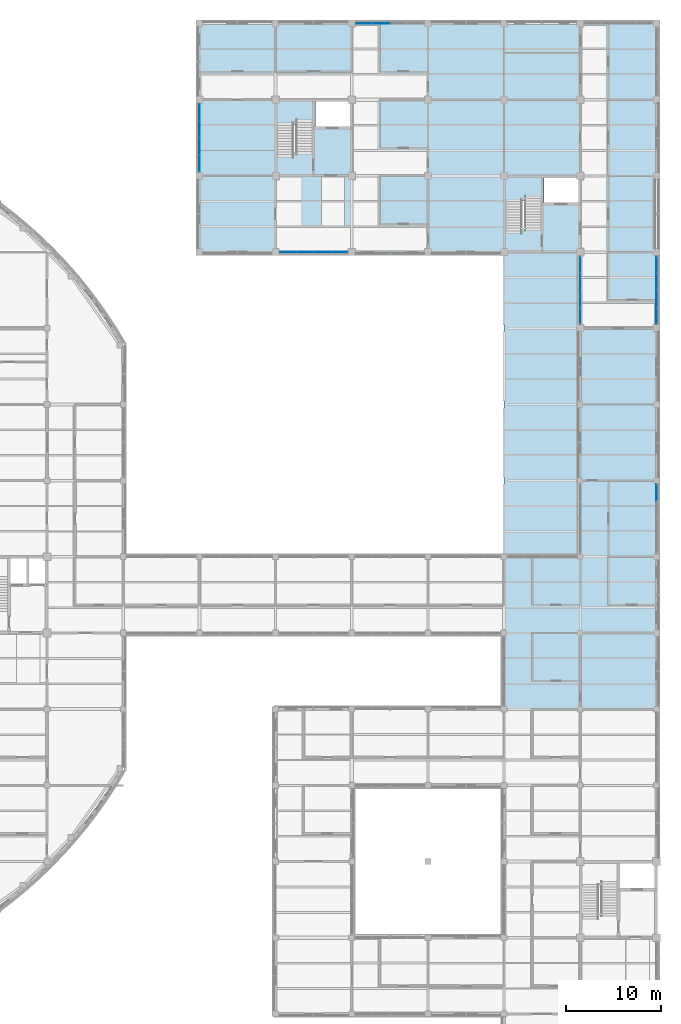
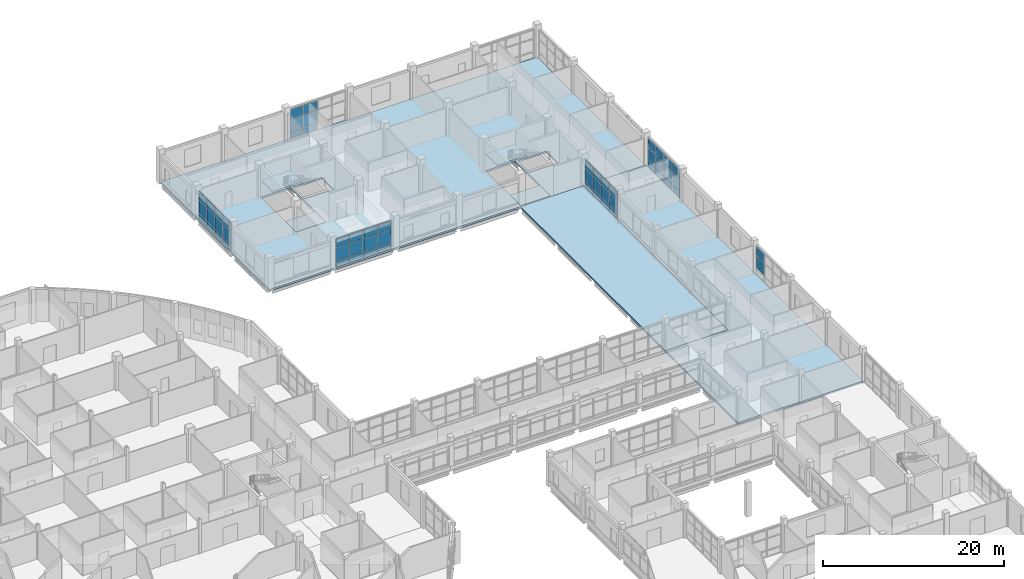
# One storey, part 72 of 121: 56 plates, 7 slabs, 8 elements without a shape of their own.
"""IFC4 building model written with IfcOpenShell, lengths in metres."""

from ifc_helpers import new_model, si_unit, derived_unit, direction, frame, origin, origin_2d, place, context, subcontext, project, spatial, polyline, rectangle, outline, extrude, material, layer, layer_set, type_object, element, aggregate, save


model = new_model("IFC4")

# Units and contexts
model_context = context("Model", 3, precision=1e-05, world=origin(), true_north=direction((0.0, 1.0)))
body_context = subcontext(model_context, "Body", "Model", "MODEL_VIEW")
ifc_project = project(units=[si_unit("LENGTHUNIT", "METRE"), si_unit("AREAUNIT", "SQUARE_METRE"), si_unit("VOLUMEUNIT", "CUBIC_METRE"), si_unit("PLANEANGLEUNIT", "RADIAN"), si_unit("MASSUNIT", "GRAM", prefix="KILO"), derived_unit("THERMALTRANSMITTANCEUNIT", [(si_unit("MASSUNIT", "GRAM", prefix="KILO"), 1), (si_unit("TIMEUNIT", "SECOND"), -3), (si_unit("THERMODYNAMICTEMPERATUREUNIT", "KELVIN"), -1)])], contexts=[model_context])

# Site, building, storey
site_placement = place(None, origin())
site = spatial("IfcSite", under=ifc_project, at=site_placement, CompositionType="ELEMENT")
building_placement = place(site_placement, origin())
building = spatial("IfcBuilding", under=site, at=building_placement, Name="Veyamyaing Civic Hall", CompositionType="ELEMENT")
storey_placement = place(building_placement, frame((0.0, 0.0, 5.280029296875)))
storey = spatial("IfcBuildingStorey", under=building, at=storey_placement, Name="L01", CompositionType="ELEMENT", Elevation=5.280029296875)

# Curtain wall, plates
ifc_material_1 = material(Name="Anodised aluminium 6063-T6", Category="aluminium")
ifc_layer_1 = layer(ifc_material_1, 0.159912109375, Name="Anodised aluminium 6063-T6")
ifc_layer_set_1 = layer_set([ifc_layer_1], Name="Anodised aluminium 6063-T6")
curtain_wall_type = type_object("IfcCurtainWallType", Name="CW-02", PredefinedType="NOTDEFINED", material=ifc_layer_set_1)
curtain_wall_1_placement = place(storey_placement, origin())
curtain_wall_1 = element("IfcCurtainWall", 1, at=curtain_wall_1_placement, inside=storey, type_object=curtain_wall_type, Name="Unitized curtain wall CW-02 L01 W 17.13", PredefinedType="NOTDEFINED")
ifc_material_2 = material(Name="Low-E insulated glass", Category="glass")
ifc_layer_2 = layer(ifc_material_2, 0.028076171875, Name="Low-E insulated glass")
ifc_layer_set_2 = layer_set([ifc_layer_2], Name="Low-E insulated glass")
plate_type_1 = type_object("IfcPlateType", Name="CWP-01", PredefinedType="CURTAIN_PANEL", material=ifc_layer_set_2)
plate_1_placement = place(storey_placement, frame((128.0, 97.320068359375, 0.06494140625), z_axis=(0.0, 0.0, 1.0), x_axis=(0.0, 1.0, 0.0)))
plate_1 = element("IfcPlate", 2, at=plate_1_placement, type_object=plate_type_1, Name="CW-02 panel 1.1", PredefinedType="CURTAIN_PANEL", context=body_context, shape_type="SweptSolid", body=[
    extrude(rectangle(XDim=1.699951171875, YDim=0.028076171875, at=origin_2d()), origin(), (0.0, 0.0, 1.0), 0.802490234375),
])
plate_2_placement = place(storey_placement, frame((128.0, 97.320068359375, 0.932373046875), z_axis=(0.0, 0.0, 1.0), x_axis=(0.0, 1.0, 0.0)))
plate_2 = element("IfcPlate", 3, at=plate_2_placement, type_object=plate_type_1, Name="CW-02 panel 1.2", PredefinedType="CURTAIN_PANEL", context=body_context, shape_type="SweptSolid", body=[
    extrude(rectangle(XDim=1.699951171875, YDim=0.028076171875, at=origin_2d()), origin(), (0.0, 0.0, 1.0), 1.7373046875),
])
plate_3_placement = place(storey_placement, frame((128.0, 97.320068359375, 2.734619140625), z_axis=(0.0, 0.0, 1.0), x_axis=(0.0, 1.0, 0.0)))
plate_3 = element("IfcPlate", 4, at=plate_3_placement, type_object=plate_type_1, Name="CW-02 panel 1.3", PredefinedType="CURTAIN_PANEL", context=body_context, shape_type="SweptSolid", body=[
    extrude(rectangle(XDim=1.699951171875, YDim=0.028076171875, at=origin_2d()), origin(), (0.0, 0.0, 1.0), 1.17431640625),
])
plate_4_placement = place(storey_placement, frame((128.0, 99.101318359375, 0.06494140625), z_axis=(0.0, 0.0, 1.0), x_axis=(0.0, 1.0, 0.0)))
plate_4 = element("IfcPlate", 5, at=plate_4_placement, type_object=plate_type_1, Name="CW-02 panel 2.1", PredefinedType="CURTAIN_PANEL", context=body_context, shape_type="SweptSolid", body=[
    extrude(rectangle(XDim=1.732421875, YDim=0.028076171875, at=origin_2d()), origin(), (0.0, 0.0, 1.0), 0.802490234375),
])
plate_5_placement = place(storey_placement, frame((128.0, 99.101318359375, 0.932373046875), z_axis=(0.0, 0.0, 1.0), x_axis=(0.0, 1.0, 0.0)))
plate_5 = element("IfcPlate", 6, at=plate_5_placement, type_object=plate_type_1, Name="CW-02 panel 2.2", PredefinedType="CURTAIN_PANEL", context=body_context, shape_type="SweptSolid", body=[
    extrude(rectangle(XDim=1.732421875, YDim=0.028076171875, at=origin_2d()), origin(), (0.0, 0.0, 1.0), 1.7373046875),
])
plate_6_placement = place(storey_placement, frame((128.0, 99.101318359375, 2.734619140625), z_axis=(0.0, 0.0, 1.0), x_axis=(0.0, 1.0, 0.0)))
plate_6 = element("IfcPlate", 7, at=plate_6_placement, type_object=plate_type_1, Name="CW-02 panel 2.3", PredefinedType="CURTAIN_PANEL", context=body_context, shape_type="SweptSolid", body=[
    extrude(rectangle(XDim=1.732421875, YDim=0.028076171875, at=origin_2d()), origin(), (0.0, 0.0, 1.0), 1.17431640625),
])
plate_7_placement = place(storey_placement, frame((128.0, 100.898681640625, 0.06494140625), z_axis=(0.0, 0.0, 1.0), x_axis=(0.0, 1.0, 0.0)))
plate_7 = element("IfcPlate", 8, at=plate_7_placement, type_object=plate_type_1, Name="CW-02 panel 3.1", PredefinedType="CURTAIN_PANEL", context=body_context, shape_type="SweptSolid", body=[
    extrude(rectangle(XDim=1.732421875, YDim=0.028076171875, at=origin_2d()), origin(), (0.0, 0.0, 1.0), 0.802490234375),
])
plate_8_placement = place(storey_placement, frame((128.0, 100.898681640625, 0.932373046875), z_axis=(0.0, 0.0, 1.0), x_axis=(0.0, 1.0, 0.0)))
plate_8 = element("IfcPlate", 9, at=plate_8_placement, type_object=plate_type_1, Name="CW-02 panel 3.2", PredefinedType="CURTAIN_PANEL", context=body_context, shape_type="SweptSolid", body=[
    extrude(rectangle(XDim=1.732421875, YDim=0.028076171875, at=origin_2d()), origin(), (0.0, 0.0, 1.0), 1.7373046875),
])
plate_9_placement = place(storey_placement, frame((128.0, 100.898681640625, 2.734619140625), z_axis=(0.0, 0.0, 1.0), x_axis=(0.0, 1.0, 0.0)))
plate_9 = element("IfcPlate", 10, at=plate_9_placement, type_object=plate_type_1, Name="CW-02 panel 3.3", PredefinedType="CURTAIN_PANEL", context=body_context, shape_type="SweptSolid", body=[
    extrude(rectangle(XDim=1.732421875, YDim=0.028076171875, at=origin_2d()), origin(), (0.0, 0.0, 1.0), 1.17431640625),
])
plate_10_placement = place(storey_placement, frame((128.0, 102.679931640625, 0.06494140625), z_axis=(0.0, 0.0, 1.0), x_axis=(0.0, 1.0, 0.0)))
plate_10 = element("IfcPlate", 11, at=plate_10_placement, type_object=plate_type_1, Name="CW-02 panel 4.1", PredefinedType="CURTAIN_PANEL", context=body_context, shape_type="SweptSolid", body=[
    extrude(rectangle(XDim=1.699951171875, YDim=0.028076171875, at=origin_2d()), origin(), (0.0, 0.0, 1.0), 0.802490234375),
])
plate_11_placement = place(storey_placement, frame((128.0, 102.679931640625, 0.932373046875), z_axis=(0.0, 0.0, 1.0), x_axis=(0.0, 1.0, 0.0)))
plate_11 = element("IfcPlate", 12, at=plate_11_placement, type_object=plate_type_1, Name="CW-02 panel 4.2", PredefinedType="CURTAIN_PANEL", context=body_context, shape_type="SweptSolid", body=[
    extrude(rectangle(XDim=1.699951171875, YDim=0.028076171875, at=origin_2d()), origin(), (0.0, 0.0, 1.0), 1.7373046875),
])
plate_12_placement = place(storey_placement, frame((128.0, 102.679931640625, 2.734619140625), z_axis=(0.0, 0.0, 1.0), x_axis=(0.0, 1.0, 0.0)))
plate_12 = element("IfcPlate", 13, at=plate_12_placement, type_object=plate_type_1, Name="CW-02 panel 4.3", PredefinedType="CURTAIN_PANEL", context=body_context, shape_type="SweptSolid", body=[
    extrude(rectangle(XDim=1.699951171875, YDim=0.028076171875, at=origin_2d()), origin(), (0.0, 0.0, 1.0), 1.17431640625),
])
aggregate(curtain_wall_1, [plate_1, plate_2, plate_3, plate_4, plate_5, plate_6, plate_7, plate_8, plate_9, plate_10, plate_11, plate_12])

curtain_wall_2_placement = place(storey_placement, origin())
curtain_wall_2 = element("IfcCurtainWall", 14, at=curtain_wall_2_placement, inside=storey, type_object=curtain_wall_type, Name="Unitized curtain wall CW-02 L01 S 18.12", PredefinedType="NOTDEFINED")
plate_13_placement = place(storey_placement, frame((137.320068359375, 88.0, 0.06494140625), z_axis=(0.0, 0.0, 1.0), x_axis=(1.0, 0.0, 0.0)))
plate_13 = element("IfcPlate", 15, at=plate_13_placement, type_object=plate_type_1, Name="CW-02 panel 1.1", PredefinedType="CURTAIN_PANEL", context=body_context, shape_type="SweptSolid", body=[
    extrude(rectangle(XDim=1.699951171875, YDim=0.028076171875, at=origin_2d()), origin(), (0.0, 0.0, 1.0), 0.802490234375),
])
plate_14_placement = place(storey_placement, frame((137.320068359375, 88.0, 0.932373046875), z_axis=(0.0, 0.0, 1.0), x_axis=(1.0, 0.0, 0.0)))
plate_14 = element("IfcPlate", 16, at=plate_14_placement, type_object=plate_type_1, Name="CW-02 panel 1.2", PredefinedType="CURTAIN_PANEL", context=body_context, shape_type="SweptSolid", body=[
    extrude(rectangle(XDim=1.699951171875, YDim=0.028076171875, at=origin_2d()), origin(), (0.0, 0.0, 1.0), 1.7373046875),
])
plate_15_placement = place(storey_placement, frame((137.320068359375, 88.0, 2.734619140625), z_axis=(0.0, 0.0, 1.0), x_axis=(1.0, 0.0, 0.0)))
plate_15 = element("IfcPlate", 17, at=plate_15_placement, type_object=plate_type_1, Name="CW-02 panel 1.3", PredefinedType="CURTAIN_PANEL", context=body_context, shape_type="SweptSolid", body=[
    extrude(rectangle(XDim=1.699951171875, YDim=0.028076171875, at=origin_2d()), origin(), (0.0, 0.0, 1.0), 1.17431640625),
])
plate_16_placement = place(storey_placement, frame((139.101318359375, 88.0, 0.06494140625), z_axis=(0.0, 0.0, 1.0), x_axis=(1.0, 0.0, 0.0)))
plate_16 = element("IfcPlate", 18, at=plate_16_placement, type_object=plate_type_1, Name="CW-02 panel 2.1", PredefinedType="CURTAIN_PANEL", context=body_context, shape_type="SweptSolid", body=[
    extrude(rectangle(XDim=1.732421875, YDim=0.028076171875, at=origin_2d()), origin(), (0.0, 0.0, 1.0), 0.802490234375),
])
plate_17_placement = place(storey_placement, frame((139.101318359375, 88.0, 0.932373046875), z_axis=(0.0, 0.0, 1.0), x_axis=(1.0, 0.0, 0.0)))
plate_17 = element("IfcPlate", 19, at=plate_17_placement, type_object=plate_type_1, Name="CW-02 panel 2.2", PredefinedType="CURTAIN_PANEL", context=body_context, shape_type="SweptSolid", body=[
    extrude(rectangle(XDim=1.732421875, YDim=0.028076171875, at=origin_2d()), origin(), (0.0, 0.0, 1.0), 1.7373046875),
])
plate_18_placement = place(storey_placement, frame((139.101318359375, 88.0, 2.734619140625), z_axis=(0.0, 0.0, 1.0), x_axis=(1.0, 0.0, 0.0)))
plate_18 = element("IfcPlate", 20, at=plate_18_placement, type_object=plate_type_1, Name="CW-02 panel 2.3", PredefinedType="CURTAIN_PANEL", context=body_context, shape_type="SweptSolid", body=[
    extrude(rectangle(XDim=1.732421875, YDim=0.028076171875, at=origin_2d()), origin(), (0.0, 0.0, 1.0), 1.17431640625),
])
plate_19_placement = place(storey_placement, frame((140.898681640625, 88.0, 0.06494140625), z_axis=(0.0, 0.0, 1.0), x_axis=(1.0, 0.0, 0.0)))
plate_19 = element("IfcPlate", 21, at=plate_19_placement, type_object=plate_type_1, Name="CW-02 panel 3.1", PredefinedType="CURTAIN_PANEL", context=body_context, shape_type="SweptSolid", body=[
    extrude(rectangle(XDim=1.732421875, YDim=0.028076171875, at=origin_2d()), origin(), (0.0, 0.0, 1.0), 0.802490234375),
])
plate_20_placement = place(storey_placement, frame((140.898681640625, 88.0, 0.932373046875), z_axis=(0.0, 0.0, 1.0), x_axis=(1.0, 0.0, 0.0)))
plate_20 = element("IfcPlate", 22, at=plate_20_placement, type_object=plate_type_1, Name="CW-02 panel 3.2", PredefinedType="CURTAIN_PANEL", context=body_context, shape_type="SweptSolid", body=[
    extrude(rectangle(XDim=1.732421875, YDim=0.028076171875, at=origin_2d()), origin(), (0.0, 0.0, 1.0), 1.7373046875),
])
plate_21_placement = place(storey_placement, frame((140.898681640625, 88.0, 2.734619140625), z_axis=(0.0, 0.0, 1.0), x_axis=(1.0, 0.0, 0.0)))
plate_21 = element("IfcPlate", 23, at=plate_21_placement, type_object=plate_type_1, Name="CW-02 panel 3.3", PredefinedType="CURTAIN_PANEL", context=body_context, shape_type="SweptSolid", body=[
    extrude(rectangle(XDim=1.732421875, YDim=0.028076171875, at=origin_2d()), origin(), (0.0, 0.0, 1.0), 1.17431640625),
])
plate_22_placement = place(storey_placement, frame((142.679931640625, 88.0, 0.06494140625), z_axis=(0.0, 0.0, 1.0), x_axis=(1.0, 0.0, 0.0)))
plate_22 = element("IfcPlate", 24, at=plate_22_placement, type_object=plate_type_1, Name="CW-02 panel 4.1", PredefinedType="CURTAIN_PANEL", context=body_context, shape_type="SweptSolid", body=[
    extrude(rectangle(XDim=1.699951171875, YDim=0.028076171875, at=origin_2d()), origin(), (0.0, 0.0, 1.0), 0.802490234375),
])
plate_23_placement = place(storey_placement, frame((142.679931640625, 88.0, 0.932373046875), z_axis=(0.0, 0.0, 1.0), x_axis=(1.0, 0.0, 0.0)))
plate_23 = element("IfcPlate", 25, at=plate_23_placement, type_object=plate_type_1, Name="CW-02 panel 4.2", PredefinedType="CURTAIN_PANEL", context=body_context, shape_type="SweptSolid", body=[
    extrude(rectangle(XDim=1.699951171875, YDim=0.028076171875, at=origin_2d()), origin(), (0.0, 0.0, 1.0), 1.7373046875),
])
plate_24_placement = place(storey_placement, frame((142.679931640625, 88.0, 2.734619140625), z_axis=(0.0, 0.0, 1.0), x_axis=(1.0, 0.0, 0.0)))
plate_24 = element("IfcPlate", 26, at=plate_24_placement, type_object=plate_type_1, Name="CW-02 panel 4.3", PredefinedType="CURTAIN_PANEL", context=body_context, shape_type="SweptSolid", body=[
    extrude(rectangle(XDim=1.699951171875, YDim=0.028076171875, at=origin_2d()), origin(), (0.0, 0.0, 1.0), 1.17431640625),
])
aggregate(curtain_wall_2, [plate_13, plate_14, plate_15, plate_16, plate_17, plate_18, plate_19, plate_20, plate_21, plate_22, plate_23, plate_24])

curtain_wall_3_placement = place(storey_placement, origin())
curtain_wall_3 = element("IfcCurtainWall", 27, at=curtain_wall_3_placement, inside=storey, type_object=curtain_wall_type, Name="Unitized curtain wall CW-02 L01 E 22.8", PredefinedType="NOTDEFINED")
plate_25_placement = place(storey_placement, frame((176.0, 62.736328125, 0.9326171875), z_axis=(0.0, 0.0, 1.0), x_axis=(0.0, 1.0, 0.0)))
plate_25 = element("IfcPlate", 28, at=plate_25_placement, type_object=plate_type_1, Name="CW-02 panel 4.2", PredefinedType="CURTAIN_PANEL", context=body_context, shape_type="SweptSolid", body=[
    extrude(rectangle(XDim=1.737548828125, YDim=0.028076171875, at=origin_2d()), origin(), (0.0, 0.0, 1.0), 1.696533203125),
])
plate_26_placement = place(storey_placement, frame((176.0, 62.736328125, 2.69384765625), z_axis=(0.0, 0.0, 1.0), x_axis=(0.0, 1.0, 0.0)))
plate_26 = element("IfcPlate", 29, at=plate_26_placement, type_object=plate_type_1, Name="CW-02 panel 4.3", PredefinedType="CURTAIN_PANEL", context=body_context, shape_type="SweptSolid", body=[
    extrude(rectangle(XDim=1.737548828125, YDim=0.028076171875, at=origin_2d()), origin(), (0.0, 0.0, 1.0), 1.155029296875),
])
aggregate(curtain_wall_3, [plate_25, plate_26])

curtain_wall_4_placement = place(storey_placement, origin())
curtain_wall_4 = element("IfcCurtainWall", 30, at=curtain_wall_4_placement, inside=storey, type_object=curtain_wall_type, Name="Unitized curtain wall CW-02 L01 N 19.14", PredefinedType="NOTDEFINED")
ifc_layer_3 = layer(ifc_material_2, 0.02392578125, Name="Low-E insulated glass")
ifc_layer_set_3 = layer_set([ifc_layer_3], Name="Low-E insulated glass")
plate_type_2 = type_object("IfcPlateType", Name="CWP-04", PredefinedType="CURTAIN_PANEL", material=ifc_layer_set_3)
plate_27_placement = place(storey_placement, frame((145.320068359375, 112.0, 0.06494140625), z_axis=(0.0, 0.0, 1.0), x_axis=(1.0, 0.0, 0.0)))
plate_27 = element("IfcPlate", 31, at=plate_27_placement, type_object=plate_type_2, Name="CW-02 panel 1.1", PredefinedType="CURTAIN_PANEL", context=body_context, shape_type="SweptSolid", body=[
    extrude(rectangle(XDim=1.699951171875, YDim=0.02392578125, at=origin_2d()), origin(), (0.0, 0.0, 1.0), 0.802490234375),
])
plate_28_placement = place(storey_placement, frame((145.320068359375, 112.0, 0.9326171875), z_axis=(0.0, 0.0, 1.0), x_axis=(1.0, 0.0, 0.0)))
plate_28 = element("IfcPlate", 32, at=plate_28_placement, type_object=plate_type_2, Name="CW-02 panel 1.2", PredefinedType="CURTAIN_PANEL", context=body_context, shape_type="SweptSolid", body=[
    extrude(rectangle(XDim=1.699951171875, YDim=0.02392578125, at=origin_2d()), origin(), (0.0, 0.0, 1.0), 1.767822265625),
])
plate_29_placement = place(storey_placement, frame((145.320068359375, 112.0, 2.76513671875), z_axis=(0.0, 0.0, 1.0), x_axis=(1.0, 0.0, 0.0)))
plate_29 = element("IfcPlate", 33, at=plate_29_placement, type_object=plate_type_2, Name="CW-02 panel 1.3", PredefinedType="CURTAIN_PANEL", context=body_context, shape_type="SweptSolid", body=[
    extrude(rectangle(XDim=1.699951171875, YDim=0.02392578125, at=origin_2d()), origin(), (0.0, 0.0, 1.0), 1.188720703125),
])
plate_30_placement = place(storey_placement, frame((147.101318359375, 112.0, 0.06494140625), z_axis=(0.0, 0.0, 1.0), x_axis=(1.0, 0.0, 0.0)))
plate_30 = element("IfcPlate", 34, at=plate_30_placement, type_object=plate_type_2, Name="CW-02 panel 2.1", PredefinedType="CURTAIN_PANEL", context=body_context, shape_type="SweptSolid", body=[
    extrude(rectangle(XDim=1.732421875, YDim=0.02392578125, at=origin_2d()), origin(), (0.0, 0.0, 1.0), 0.802490234375),
])
plate_31_placement = place(storey_placement, frame((147.101318359375, 112.0, 0.9326171875), z_axis=(0.0, 0.0, 1.0), x_axis=(1.0, 0.0, 0.0)))
plate_31 = element("IfcPlate", 35, at=plate_31_placement, type_object=plate_type_2, Name="CW-02 panel 2.2", PredefinedType="CURTAIN_PANEL", context=body_context, shape_type="SweptSolid", body=[
    extrude(rectangle(XDim=1.732421875, YDim=0.02392578125, at=origin_2d()), origin(), (0.0, 0.0, 1.0), 1.767822265625),
])
plate_32_placement = place(storey_placement, frame((147.101318359375, 112.0, 2.76513671875), z_axis=(0.0, 0.0, 1.0), x_axis=(1.0, 0.0, 0.0)))
plate_32 = element("IfcPlate", 36, at=plate_32_placement, type_object=plate_type_2, Name="CW-02 panel 2.3", PredefinedType="CURTAIN_PANEL", context=body_context, shape_type="SweptSolid", body=[
    extrude(rectangle(XDim=1.732421875, YDim=0.02392578125, at=origin_2d()), origin(), (0.0, 0.0, 1.0), 1.188720703125),
])
aggregate(curtain_wall_4, [plate_27, plate_28, plate_29, plate_30, plate_31, plate_32])

curtain_wall_5_placement = place(storey_placement, origin())
curtain_wall_5 = element("IfcCurtainWall", 37, at=curtain_wall_5_placement, inside=storey, type_object=curtain_wall_type, Name="Unitized curtain wall CW-02 L01 W 22.11", PredefinedType="NOTDEFINED")
plate_33_placement = place(storey_placement, frame((168.0, 81.31689453125, 0.06494140625), z_axis=(0.0, 0.0, 1.0), x_axis=(0.0, 1.0, 0.0)))
plate_33 = element("IfcPlate", 38, at=plate_33_placement, type_object=plate_type_2, Name="CW-02 panel 1.1", PredefinedType="CURTAIN_PANEL", context=body_context, shape_type="SweptSolid", body=[
    extrude(rectangle(XDim=1.69384765625, YDim=0.02392578125, at=origin_2d()), origin(), (0.0, 0.0, 1.0), 0.802490234375),
])
plate_34_placement = place(storey_placement, frame((168.0, 81.31689453125, 0.932373046875), z_axis=(0.0, 0.0, 1.0), x_axis=(0.0, 1.0, 0.0)))
plate_34 = element("IfcPlate", 39, at=plate_34_placement, type_object=plate_type_2, Name="CW-02 panel 1.2", PredefinedType="CURTAIN_PANEL", context=body_context, shape_type="SweptSolid", body=[
    extrude(rectangle(XDim=1.69384765625, YDim=0.02392578125, at=origin_2d()), origin(), (0.0, 0.0, 1.0), 1.69384765625),
])
plate_35_placement = place(storey_placement, frame((168.0, 81.31689453125, 2.691162109375), z_axis=(0.0, 0.0, 1.0), x_axis=(0.0, 1.0, 0.0)))
plate_35 = element("IfcPlate", 40, at=plate_35_placement, type_object=plate_type_2, Name="CW-02 panel 1.3", PredefinedType="CURTAIN_PANEL", context=body_context, shape_type="SweptSolid", body=[
    extrude(rectangle(XDim=1.69384765625, YDim=0.02392578125, at=origin_2d()), origin(), (0.0, 0.0, 1.0), 1.15380859375),
])
plate_36_placement = place(storey_placement, frame((168.0, 83.091796875, 0.06494140625), z_axis=(0.0, 0.0, 1.0), x_axis=(0.0, 1.0, 0.0)))
plate_36 = element("IfcPlate", 41, at=plate_36_placement, type_object=plate_type_2, Name="CW-02 panel 2.1", PredefinedType="CURTAIN_PANEL", context=body_context, shape_type="SweptSolid", body=[
    extrude(rectangle(XDim=1.726318359375, YDim=0.02392578125, at=origin_2d()), origin(), (0.0, 0.0, 1.0), 0.802490234375),
])
plate_37_placement = place(storey_placement, frame((168.0, 83.091796875, 0.932373046875), z_axis=(0.0, 0.0, 1.0), x_axis=(0.0, 1.0, 0.0)))
plate_37 = element("IfcPlate", 42, at=plate_37_placement, type_object=plate_type_2, Name="CW-02 panel 2.2", PredefinedType="CURTAIN_PANEL", context=body_context, shape_type="SweptSolid", body=[
    extrude(rectangle(XDim=1.726318359375, YDim=0.02392578125, at=origin_2d()), origin(), (0.0, 0.0, 1.0), 1.69384765625),
])
plate_38_placement = place(storey_placement, frame((168.0, 83.091796875, 2.691162109375), z_axis=(0.0, 0.0, 1.0), x_axis=(0.0, 1.0, 0.0)))
plate_38 = element("IfcPlate", 43, at=plate_38_placement, type_object=plate_type_2, Name="CW-02 panel 2.3", PredefinedType="CURTAIN_PANEL", context=body_context, shape_type="SweptSolid", body=[
    extrude(rectangle(XDim=1.726318359375, YDim=0.02392578125, at=origin_2d()), origin(), (0.0, 0.0, 1.0), 1.15380859375),
])
plate_39_placement = place(storey_placement, frame((168.0, 84.883056640625, 0.06494140625), z_axis=(0.0, 0.0, 1.0), x_axis=(0.0, 1.0, 0.0)))
plate_39 = element("IfcPlate", 44, at=plate_39_placement, type_object=plate_type_2, Name="CW-02 panel 3.1", PredefinedType="CURTAIN_PANEL", context=body_context, shape_type="SweptSolid", body=[
    extrude(rectangle(XDim=1.726318359375, YDim=0.02392578125, at=origin_2d()), origin(), (0.0, 0.0, 1.0), 0.802490234375),
])
plate_40_placement = place(storey_placement, frame((168.0, 84.883056640625, 0.932373046875), z_axis=(0.0, 0.0, 1.0), x_axis=(0.0, 1.0, 0.0)))
plate_40 = element("IfcPlate", 45, at=plate_40_placement, type_object=plate_type_2, Name="CW-02 panel 3.2", PredefinedType="CURTAIN_PANEL", context=body_context, shape_type="SweptSolid", body=[
    extrude(rectangle(XDim=1.726318359375, YDim=0.02392578125, at=origin_2d()), origin(), (0.0, 0.0, 1.0), 1.69384765625),
])
plate_41_placement = place(storey_placement, frame((168.0, 84.883056640625, 2.691162109375), z_axis=(0.0, 0.0, 1.0), x_axis=(0.0, 1.0, 0.0)))
plate_41 = element("IfcPlate", 46, at=plate_41_placement, type_object=plate_type_2, Name="CW-02 panel 3.3", PredefinedType="CURTAIN_PANEL", context=body_context, shape_type="SweptSolid", body=[
    extrude(rectangle(XDim=1.726318359375, YDim=0.02392578125, at=origin_2d()), origin(), (0.0, 0.0, 1.0), 1.15380859375),
])
plate_42_placement = place(storey_placement, frame((168.0, 86.658203125, 0.06494140625), z_axis=(0.0, 0.0, 1.0), x_axis=(0.0, 1.0, 0.0)))
plate_42 = element("IfcPlate", 47, at=plate_42_placement, type_object=plate_type_2, Name="CW-02 panel 4.1", PredefinedType="CURTAIN_PANEL", context=body_context, shape_type="SweptSolid", body=[
    extrude(rectangle(XDim=1.69384765625, YDim=0.02392578125, at=origin_2d()), origin(), (0.0, 0.0, 1.0), 0.802490234375),
])
plate_43_placement = place(storey_placement, frame((168.0, 86.658203125, 0.932373046875), z_axis=(0.0, 0.0, 1.0), x_axis=(0.0, 1.0, 0.0)))
plate_43 = element("IfcPlate", 48, at=plate_43_placement, type_object=plate_type_2, Name="CW-02 panel 4.2", PredefinedType="CURTAIN_PANEL", context=body_context, shape_type="SweptSolid", body=[
    extrude(rectangle(XDim=1.69384765625, YDim=0.02392578125, at=origin_2d()), origin(), (0.0, 0.0, 1.0), 1.69384765625),
])
plate_44_placement = place(storey_placement, frame((168.0, 86.658203125, 2.691162109375), z_axis=(0.0, 0.0, 1.0), x_axis=(0.0, 1.0, 0.0)))
plate_44 = element("IfcPlate", 49, at=plate_44_placement, type_object=plate_type_2, Name="CW-02 panel 4.3", PredefinedType="CURTAIN_PANEL", context=body_context, shape_type="SweptSolid", body=[
    extrude(rectangle(XDim=1.69384765625, YDim=0.02392578125, at=origin_2d()), origin(), (0.0, 0.0, 1.0), 1.15380859375),
])
aggregate(curtain_wall_5, [plate_33, plate_34, plate_35, plate_36, plate_37, plate_38, plate_39, plate_40, plate_41, plate_42, plate_43, plate_44])

curtain_wall_6_placement = place(storey_placement, origin())
curtain_wall_6 = element("IfcCurtainWall", 50, at=curtain_wall_6_placement, inside=storey, type_object=curtain_wall_type, Name="Unitized curtain wall CW-02 L01 E 22.11", PredefinedType="NOTDEFINED")
plate_45_placement = place(storey_placement, frame((176.0, 81.320068359375, 0.06494140625), z_axis=(0.0, 0.0, 1.0), x_axis=(0.0, 1.0, 0.0)))
plate_45 = element("IfcPlate", 51, at=plate_45_placement, type_object=plate_type_2, Name="CW-02 panel 1.1", PredefinedType="CURTAIN_PANEL", context=body_context, shape_type="SweptSolid", body=[
    extrude(rectangle(XDim=1.699951171875, YDim=0.02392578125, at=origin_2d()), origin(), (0.0, 0.0, 1.0), 0.802490234375),
])
plate_46_placement = place(storey_placement, frame((176.0, 81.320068359375, 0.932373046875), z_axis=(0.0, 0.0, 1.0), x_axis=(0.0, 1.0, 0.0)))
plate_46 = element("IfcPlate", 52, at=plate_46_placement, type_object=plate_type_2, Name="CW-02 panel 1.2", PredefinedType="CURTAIN_PANEL", context=body_context, shape_type="SweptSolid", body=[
    extrude(rectangle(XDim=1.699951171875, YDim=0.02392578125, at=origin_2d()), origin(), (0.0, 0.0, 1.0), 1.7373046875),
])
plate_47_placement = place(storey_placement, frame((176.0, 81.320068359375, 2.734619140625), z_axis=(0.0, 0.0, 1.0), x_axis=(0.0, 1.0, 0.0)))
plate_47 = element("IfcPlate", 53, at=plate_47_placement, type_object=plate_type_2, Name="CW-02 panel 1.3", PredefinedType="CURTAIN_PANEL", context=body_context, shape_type="SweptSolid", body=[
    extrude(rectangle(XDim=1.699951171875, YDim=0.02392578125, at=origin_2d()), origin(), (0.0, 0.0, 1.0), 1.17431640625),
])
plate_48_placement = place(storey_placement, frame((176.0, 83.101318359375, 0.06494140625), z_axis=(0.0, 0.0, 1.0), x_axis=(0.0, 1.0, 0.0)))
plate_48 = element("IfcPlate", 54, at=plate_48_placement, type_object=plate_type_2, Name="CW-02 panel 2.1", PredefinedType="CURTAIN_PANEL", context=body_context, shape_type="SweptSolid", body=[
    extrude(rectangle(XDim=1.732421875, YDim=0.02392578125, at=origin_2d()), origin(), (0.0, 0.0, 1.0), 0.802490234375),
])
plate_49_placement = place(storey_placement, frame((176.0, 83.101318359375, 0.932373046875), z_axis=(0.0, 0.0, 1.0), x_axis=(0.0, 1.0, 0.0)))
plate_49 = element("IfcPlate", 55, at=plate_49_placement, type_object=plate_type_2, Name="CW-02 panel 2.2", PredefinedType="CURTAIN_PANEL", context=body_context, shape_type="SweptSolid", body=[
    extrude(rectangle(XDim=1.732421875, YDim=0.02392578125, at=origin_2d()), origin(), (0.0, 0.0, 1.0), 1.7373046875),
])
plate_50_placement = place(storey_placement, frame((176.0, 83.101318359375, 2.734619140625), z_axis=(0.0, 0.0, 1.0), x_axis=(0.0, 1.0, 0.0)))
plate_50 = element("IfcPlate", 56, at=plate_50_placement, type_object=plate_type_2, Name="CW-02 panel 2.3", PredefinedType="CURTAIN_PANEL", context=body_context, shape_type="SweptSolid", body=[
    extrude(rectangle(XDim=1.732421875, YDim=0.02392578125, at=origin_2d()), origin(), (0.0, 0.0, 1.0), 1.17431640625),
])
plate_51_placement = place(storey_placement, frame((176.0, 84.898681640625, 0.06494140625), z_axis=(0.0, 0.0, 1.0), x_axis=(0.0, 1.0, 0.0)))
plate_51 = element("IfcPlate", 57, at=plate_51_placement, type_object=plate_type_2, Name="CW-02 panel 3.1", PredefinedType="CURTAIN_PANEL", context=body_context, shape_type="SweptSolid", body=[
    extrude(rectangle(XDim=1.732421875, YDim=0.02392578125, at=origin_2d()), origin(), (0.0, 0.0, 1.0), 0.802490234375),
])
plate_52_placement = place(storey_placement, frame((176.0, 84.898681640625, 0.932373046875), z_axis=(0.0, 0.0, 1.0), x_axis=(0.0, 1.0, 0.0)))
plate_52 = element("IfcPlate", 58, at=plate_52_placement, type_object=plate_type_2, Name="CW-02 panel 3.2", PredefinedType="CURTAIN_PANEL", context=body_context, shape_type="SweptSolid", body=[
    extrude(rectangle(XDim=1.732421875, YDim=0.02392578125, at=origin_2d()), origin(), (0.0, 0.0, 1.0), 1.7373046875),
])
plate_53_placement = place(storey_placement, frame((176.0, 84.898681640625, 2.734619140625), z_axis=(0.0, 0.0, 1.0), x_axis=(0.0, 1.0, 0.0)))
plate_53 = element("IfcPlate", 59, at=plate_53_placement, type_object=plate_type_2, Name="CW-02 panel 3.3", PredefinedType="CURTAIN_PANEL", context=body_context, shape_type="SweptSolid", body=[
    extrude(rectangle(XDim=1.732421875, YDim=0.02392578125, at=origin_2d()), origin(), (0.0, 0.0, 1.0), 1.17431640625),
])
plate_54_placement = place(storey_placement, frame((176.0, 86.679931640625, 0.06494140625), z_axis=(0.0, 0.0, 1.0), x_axis=(0.0, 1.0, 0.0)))
plate_54 = element("IfcPlate", 60, at=plate_54_placement, type_object=plate_type_2, Name="CW-02 panel 4.1", PredefinedType="CURTAIN_PANEL", context=body_context, shape_type="SweptSolid", body=[
    extrude(rectangle(XDim=1.699951171875, YDim=0.02392578125, at=origin_2d()), origin(), (0.0, 0.0, 1.0), 0.802490234375),
])
plate_55_placement = place(storey_placement, frame((176.0, 86.679931640625, 0.932373046875), z_axis=(0.0, 0.0, 1.0), x_axis=(0.0, 1.0, 0.0)))
plate_55 = element("IfcPlate", 61, at=plate_55_placement, type_object=plate_type_2, Name="CW-02 panel 4.2", PredefinedType="CURTAIN_PANEL", context=body_context, shape_type="SweptSolid", body=[
    extrude(rectangle(XDim=1.699951171875, YDim=0.02392578125, at=origin_2d()), origin(), (0.0, 0.0, 1.0), 1.7373046875),
])
plate_56_placement = place(storey_placement, frame((176.0, 86.679931640625, 2.734619140625), z_axis=(0.0, 0.0, 1.0), x_axis=(0.0, 1.0, 0.0)))
plate_56 = element("IfcPlate", 62, at=plate_56_placement, type_object=plate_type_2, Name="CW-02 panel 4.3", PredefinedType="CURTAIN_PANEL", context=body_context, shape_type="SweptSolid", body=[
    extrude(rectangle(XDim=1.699951171875, YDim=0.02392578125, at=origin_2d()), origin(), (0.0, 0.0, 1.0), 1.17431640625),
])
aggregate(curtain_wall_6, [plate_45, plate_46, plate_47, plate_48, plate_49, plate_50, plate_51, plate_52, plate_53, plate_54, plate_55, plate_56])

# Slabs
ifc_material_3 = material(Name="Concrete C40/50", Category="concrete")
ifc_layer_4 = layer(ifc_material_3, 0.2451171875, Name="Concrete C40/50")
ifc_layer_set_4 = layer_set([ifc_layer_4], Name="Concrete C40/50")
slab_type_1 = type_object("IfcSlabType", Name="SL-03", PredefinedType="FLOOR", material=ifc_layer_set_4)
slab_1_placement = place(storey_placement, frame((0.0, 0.0, -0.2451171875)))
element("IfcSlab", 63, at=slab_1_placement, inside=storey, type_object=slab_type_1, Name="Floor slab SL-03 L01 V4NE.1", PredefinedType="FLOOR", context=body_context, shape_type="SweptSolid", body=[
    extrude(outline(polyline([(128.0, 112.0), (176.0, 112.0), (176.0, 88.0), (128.0, 88.0), (128.0, 112.0)]), holes=[polyline([(163.909912109375, 95.860107421875), (160.139892578125, 95.860107421875), (160.139892578125, 88.139892578125), (163.909912109375, 88.139892578125), (163.909912109375, 95.860107421875)]), polyline([(167.820068359375, 95.820068359375), (164.179931640625, 95.820068359375), (164.179931640625, 93.179931640625), (167.820068359375, 93.179931640625), (167.820068359375, 95.820068359375)]), polyline([(139.909912109375, 96.139892578125), (139.909912109375, 103.860107421875), (136.139892578125, 103.860107421875), (136.139892578125, 96.139892578125), (139.909912109375, 96.139892578125)]), polyline([(143.820068359375, 101.179931640625), (143.820068359375, 103.820068359375), (140.179931640625, 103.820068359375), (140.179931640625, 101.179931640625), (143.820068359375, 101.179931640625)])]), origin(), (0.0, 0.0, 1.0), 0.2451171875),
])
slab_2_placement = place(storey_placement, frame((0.0, 0.0, -0.2451171875)))
element("IfcSlab", 64, at=slab_2_placement, inside=storey, type_object=slab_type_1, Name="Floor slab SL-03 L01 V4SE.1", PredefinedType="FLOOR", context=body_context, shape_type="SweptSolid", body=[
    extrude(outline(polyline([(168.0, 56.0), (168.0, 88.0), (176.0, 88.0), (176.0, 40.0), (160.0, 40.0), (160.0, 56.0), (168.0, 56.0)])), origin(), (0.0, 0.0, 1.0), 0.2451171875),
])
ifc_layer_5 = layer(ifc_material_3, 0.239990234375, Name="Concrete C40/50")
ifc_layer_set_5 = layer_set([ifc_layer_5], Name="Concrete C40/50")
slab_type_2 = type_object("IfcSlabType", Name="SL-15", PredefinedType="ROOF", material=ifc_layer_set_5)
slab_3_placement = place(storey_placement, frame((0.0, 0.0, -0.239990234375)))
element("IfcSlab", 65, at=slab_3_placement, inside=storey, type_object=slab_type_2, Name="Roof slab SL-15 L01 V4SE.2", PredefinedType="ROOF", context=body_context, shape_type="SweptSolid", body=[
    extrude(outline(polyline([(160.0, 56.0), (160.0, 88.0), (168.0, 88.0), (168.0, 56.0), (160.0, 56.0)])), origin(), (0.0, 0.0, 1.0), 0.239990234375),
])
ifc_layer_6 = layer(ifc_material_3, 0.199951171875, Name="Concrete C40/50")
ifc_layer_set_6 = layer_set([ifc_layer_6], Name="Concrete C40/50")
slab_type_3 = type_object("IfcSlabType", Name="SL-16", PredefinedType="FLOOR", material=ifc_layer_set_6)
slab_4_placement = place(storey_placement, frame((0.0, 0.0, -0.199951171875)))
element("IfcSlab", 66, at=slab_4_placement, inside=storey, type_object=slab_type_3, Name="Stair floor landing slab SL-16 ST-03 L01", PredefinedType="FLOOR", context=body_context, shape_type="SweptSolid", body=[
    extrude(outline(polyline([(160.139892578125, 88.139892578125), (163.909912109375, 88.139892578125), (163.909912109375, 90.52001953125), (160.139892578125, 90.52001953125), (160.139892578125, 88.139892578125)])), origin(), (0.0, 0.0, 1.0), 0.199951171875),
])
slab_5_placement = place(storey_placement, frame((0.0, 0.0, -0.199951171875)))
element("IfcSlab", 67, at=slab_5_placement, inside=storey, type_object=slab_type_3, Name="Stair floor landing slab SL-16 ST-04 L01", PredefinedType="FLOOR", context=body_context, shape_type="SweptSolid", body=[
    extrude(outline(polyline([(136.139892578125, 96.139892578125), (139.909912109375, 96.139892578125), (139.909912109375, 98.52001953125), (136.139892578125, 98.52001953125), (136.139892578125, 96.139892578125)])), origin(), (0.0, 0.0, 1.0), 0.199951171875),
])

# Stair, slab
stair_type = type_object("IfcStairType", Name="ST-C", PredefinedType="HALF_TURN_STAIR", material=ifc_material_3)
stair_1_placement = place(storey_placement, origin())
stair_1 = element("IfcStair", 68, at=stair_1_placement, inside=storey, type_object=stair_type, Name="Protected exit stair ST-03 L01", PredefinedType="HALF_TURN_STAIR")
ifc_layer_7 = layer(ifc_material_3, 0.195068359375, Name="Concrete C40/50")
ifc_layer_set_7 = layer_set([ifc_layer_7], Name="Concrete C40/50")
slab_type_4 = type_object("IfcSlabType", Name="SL-LND", PredefinedType="LANDING", material=ifc_layer_set_7)
slab_6_placement = place(storey_placement, frame((0.0, 0.0, 2.114990234375)))
slab_6 = element("IfcSlab", 69, at=slab_6_placement, type_object=slab_type_4, Name="ST-03 landing 1", PredefinedType="LANDING", context=body_context, shape_type="SweptSolid", body=[
    extrude(outline(polyline([(160.139892578125, 93.35009765625), (163.909912109375, 93.35009765625), (163.909912109375, 95.860107421875), (160.139892578125, 95.860107421875), (160.139892578125, 93.35009765625)])), origin(), (0.0, 0.0, 1.0), 0.195068359375),
])
aggregate(stair_1, [slab_6])

stair_2_placement = place(storey_placement, origin())
stair_2 = element("IfcStair", 70, at=stair_2_placement, inside=storey, type_object=stair_type, Name="Protected exit stair ST-04 L01", PredefinedType="HALF_TURN_STAIR")
slab_7_placement = place(storey_placement, frame((0.0, 0.0, 2.114990234375)))
slab_7 = element("IfcSlab", 71, at=slab_7_placement, type_object=slab_type_4, Name="ST-04 landing 1", PredefinedType="LANDING", context=body_context, shape_type="SweptSolid", body=[
    extrude(outline(polyline([(136.139892578125, 101.35009765625), (139.909912109375, 101.35009765625), (139.909912109375, 103.860107421875), (136.139892578125, 103.860107421875), (136.139892578125, 101.35009765625)])), origin(), (0.0, 0.0, 1.0), 0.195068359375),
])
aggregate(stair_2, [slab_7])

save(model, "model.ifc")
